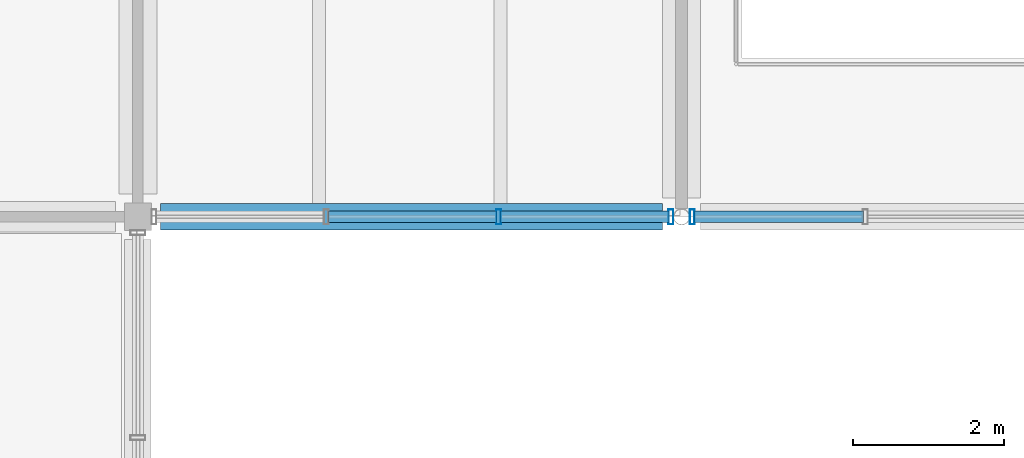
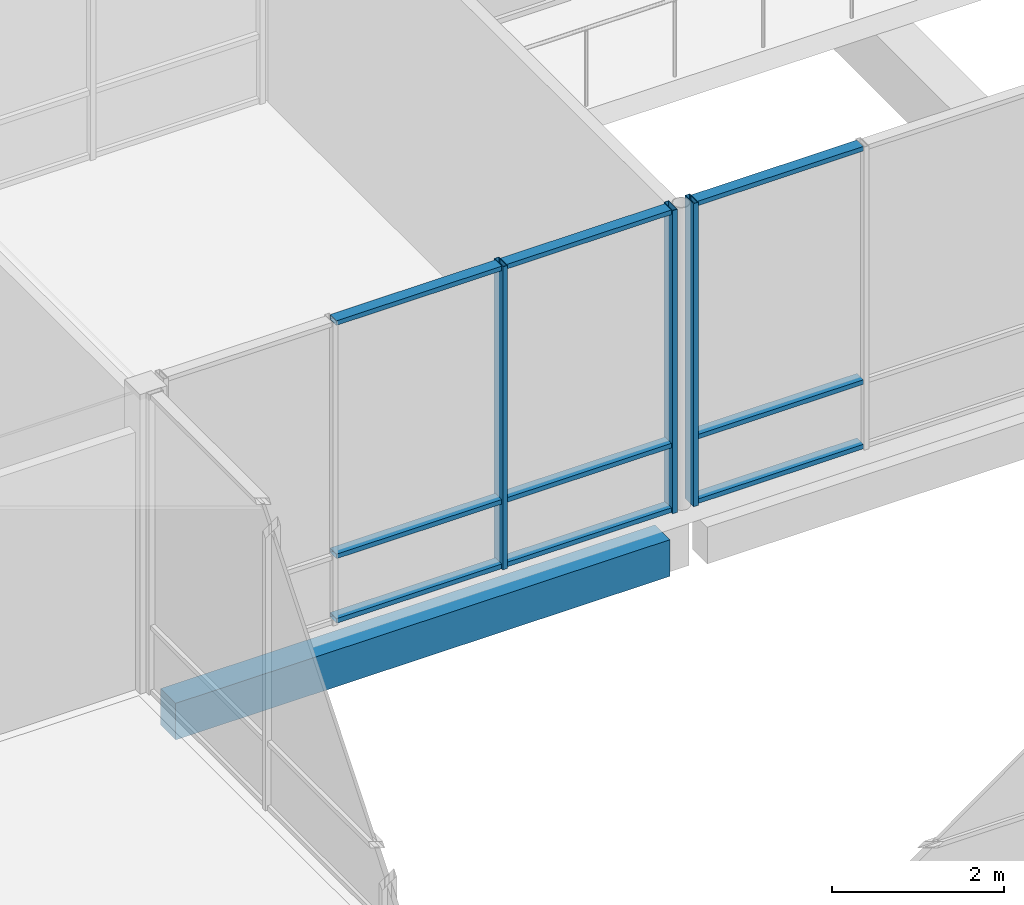
# One storey, part 26 of 146: 12 members, 1 beam, 2 elements without a shape of their own.
"""IFC4 building model written with IfcOpenShell, lengths in metres."""

from ifc_helpers import new_model, si_unit, direction, frame, origin, origin_2d, place, context, subcontext, project, spatial, rectangle, hollow_rectangle, extrude, material, material_profile, profile_set, type_object, element, aggregate, save


model = new_model("IFC4")

# Units and contexts
model_context = context("Model", 3, precision=1e-05, world=origin(), true_north=direction((0.0, 1.0)))
body_context = subcontext(model_context, "Body", "Model", "MODEL_VIEW")
ifc_project = project(units=[si_unit("LENGTHUNIT", "METRE"), si_unit("AREAUNIT", "SQUARE_METRE"), si_unit("VOLUMEUNIT", "CUBIC_METRE"), si_unit("PLANEANGLEUNIT", "RADIAN"), si_unit("MASSUNIT", "GRAM", prefix="KILO")], contexts=[model_context])

# Site, building, storey
site_placement = place(None, origin())
site = spatial("IfcSite", under=ifc_project, at=site_placement, CompositionType="ELEMENT")
building_placement = place(site_placement, origin())
building = spatial("IfcBuilding", under=site, at=building_placement, Name="Hawrajan Terrace Health Centre", CompositionType="ELEMENT")
storey_placement = place(building_placement, frame((0.0, 0.0, 4.5)))
storey = spatial("IfcBuildingStorey", under=building, at=storey_placement, Name="L01", CompositionType="ELEMENT", Elevation=4.5)

# Curtain wall, members
ifc_material_1 = material(Name="Anodized bronze aluminium and low-E solar glazing", Category="aluminium")
curtain_wall_type_1 = type_object("IfcCurtainWallType", Name="CW_Hall_SeriesD1", PredefinedType="USERDEFINED", material=ifc_material_1)
curtain_wall_1_placement = place(storey_placement, origin())
curtain_wall_1 = element("IfcCurtainWall", 1, at=curtain_wall_1_placement, inside=storey, type_object=curtain_wall_type_1, Name="Curtain wall CW-L01-058", ObjectType="UNITISED CURTAIN WALL", PredefinedType="USERDEFINED")
ifc_material_2 = material(Name="Anodized bronze aluminium 6063-T6", Category="aluminium")
ifc_material_profile_1 = material_profile(ifc_material_2, hollow_rectangle(XDim=0.06494140625, YDim=0.199951171875, WallThickness=0.00439453125, at=origin_2d()), Name="CW MUL 65x200")
ifc_profile_set_1 = profile_set([ifc_material_profile_1], Name="Anodized bronze aluminium 6063-T6")
member_type_1 = type_object("IfcMemberType", Name="CWMullion_65x200", PredefinedType="MULLION", material=ifc_profile_set_1)
member_1_placement = place(storey_placement, frame((30.97607421875, 27.199951171875, -0.0048828125), z_axis=(0.0, 0.0, 1.0), x_axis=(1.0, 0.0, 0.0)))
member_1 = element("IfcMember", 2, at=member_1_placement, type_object=member_type_1, Name="Mullion CW-L01-058-M3", PredefinedType="MULLION", context=body_context, shape_type="SweptSolid", body=[
    extrude(hollow_rectangle(XDim=0.06494140625, YDim=0.199951171875, WallThickness=0.00439453125, at=origin_2d()), origin(), (0.0, 0.0, 1.0), 4.309814453125),
])
member_2_placement = place(storey_placement, frame((33.2578125, 27.199951171875, -0.0048828125), z_axis=(0.0, 0.0, 1.0), x_axis=(1.0, 0.0, 0.0)))
member_2 = element("IfcMember", 3, at=member_2_placement, type_object=member_type_1, Name="Mullion CW-L01-058-M4", PredefinedType="MULLION", context=body_context, shape_type="SweptSolid", body=[
    extrude(hollow_rectangle(XDim=0.06494140625, YDim=0.199951171875, WallThickness=0.00439453125, at=origin_2d()), origin(), (0.0, 0.0, 1.0), 4.309814453125),
])

# Curtain wall, member
curtain_wall_type_2 = type_object("IfcCurtainWallType", Name="CW_Clerestory_SeriesG1", PredefinedType="USERDEFINED", material=ifc_material_1)
curtain_wall_2_placement = place(storey_placement, origin())
curtain_wall_2 = element("IfcCurtainWall", 4, at=curtain_wall_2_placement, inside=storey, type_object=curtain_wall_type_2, Name="Curtain wall CW-L01-064", ObjectType="UNITISED CURTAIN WALL", PredefinedType="USERDEFINED")
member_3_placement = place(storey_placement, frame((33.5419921875, 27.199951171875, -0.0048828125), z_axis=(0.0, 0.0, 1.0), x_axis=(1.0, 0.0, 0.0)))
member_3 = element("IfcMember", 5, at=member_3_placement, type_object=member_type_1, Name="Mullion CW-L01-064-M1", PredefinedType="MULLION", context=body_context, shape_type="SweptSolid", body=[
    extrude(hollow_rectangle(XDim=0.06494140625, YDim=0.199951171875, WallThickness=0.00439453125, at=origin_2d()), origin(), (0.0, 0.0, 1.0), 4.309814453125),
])

# Member
ifc_material_profile_2 = material_profile(ifc_material_2, hollow_rectangle(XDim=0.06494140625, YDim=0.14990234375, WallThickness=0.00390625, at=origin_2d()), Name="CW TRN 65x150")
ifc_profile_set_2 = profile_set([ifc_material_profile_2], Name="Anodized bronze aluminium 6063-T6")
member_type_2 = type_object("IfcMemberType", Name="CWTransom_65x150", PredefinedType="USERDEFINED", material=ifc_profile_set_2)
member_4_placement = place(storey_placement, frame((28.720703125, 27.199951171875, 0.032470703125), z_axis=(1.0, 0.0, 0.0), x_axis=(0.0, 0.0, 1.0)))
member_4 = element("IfcMember", 6, at=member_4_placement, type_object=member_type_2, Name="Transom CW-L01-058-T2-1", ObjectType="TRANSOM", PredefinedType="USERDEFINED", context=body_context, shape_type="SweptSolid", body=[
    extrude(hollow_rectangle(XDim=0.06494140625, YDim=0.14990234375, WallThickness=0.00390625, at=origin_2d()), origin(), (0.0, 0.0, 1.0), 2.22900390625),
])

member_5_placement = place(storey_placement, frame((28.720703125, 27.199951171875, 0.949951171875), z_axis=(1.0, 0.0, 0.0), x_axis=(0.0, 0.0, 1.0)))
member_5 = element("IfcMember", 7, at=member_5_placement, type_object=member_type_2, Name="Transom CW-L01-058-T2-2", ObjectType="TRANSOM", PredefinedType="USERDEFINED", context=body_context, shape_type="SweptSolid", body=[
    extrude(hollow_rectangle(XDim=0.06494140625, YDim=0.14990234375, WallThickness=0.00390625, at=origin_2d()), origin(), (0.0, 0.0, 1.0), 2.22900390625),
])

member_6_placement = place(storey_placement, frame((28.720703125, 27.199951171875, 4.267578125), z_axis=(1.0, 0.0, 0.0), x_axis=(0.0, 0.0, 1.0)))
member_6 = element("IfcMember", 8, at=member_6_placement, type_object=member_type_2, Name="Transom CW-L01-058-T2-3", ObjectType="TRANSOM", PredefinedType="USERDEFINED", context=body_context, shape_type="SweptSolid", body=[
    extrude(hollow_rectangle(XDim=0.06494140625, YDim=0.14990234375, WallThickness=0.00390625, at=origin_2d()), origin(), (0.0, 0.0, 1.0), 2.22900390625),
])

member_7_placement = place(storey_placement, frame((31.002685546875, 27.199951171875, 0.032470703125), z_axis=(1.0, 0.0, 0.0), x_axis=(0.0, 0.0, 1.0)))
member_7 = element("IfcMember", 9, at=member_7_placement, type_object=member_type_2, Name="Transom CW-L01-058-T3-1", ObjectType="TRANSOM", PredefinedType="USERDEFINED", context=body_context, shape_type="SweptSolid", body=[
    extrude(hollow_rectangle(XDim=0.06494140625, YDim=0.14990234375, WallThickness=0.00390625, at=origin_2d()), origin(), (0.0, 0.0, 1.0), 2.228759765625),
])

member_8_placement = place(storey_placement, frame((31.002685546875, 27.199951171875, 0.949951171875), z_axis=(1.0, 0.0, 0.0), x_axis=(0.0, 0.0, 1.0)))
member_8 = element("IfcMember", 10, at=member_8_placement, type_object=member_type_2, Name="Transom CW-L01-058-T3-2", ObjectType="TRANSOM", PredefinedType="USERDEFINED", context=body_context, shape_type="SweptSolid", body=[
    extrude(hollow_rectangle(XDim=0.06494140625, YDim=0.14990234375, WallThickness=0.00390625, at=origin_2d()), origin(), (0.0, 0.0, 1.0), 2.228759765625),
])

member_9_placement = place(storey_placement, frame((31.002685546875, 27.199951171875, 4.267578125), z_axis=(1.0, 0.0, 0.0), x_axis=(0.0, 0.0, 1.0)))
member_9 = element("IfcMember", 11, at=member_9_placement, type_object=member_type_2, Name="Transom CW-L01-058-T3-3", ObjectType="TRANSOM", PredefinedType="USERDEFINED", context=body_context, shape_type="SweptSolid", body=[
    extrude(hollow_rectangle(XDim=0.06494140625, YDim=0.14990234375, WallThickness=0.00390625, at=origin_2d()), origin(), (0.0, 0.0, 1.0), 2.228759765625),
])

aggregate(curtain_wall_1, [member_1, member_2, member_4, member_5, member_6, member_7, member_8, member_9])

member_10_placement = place(storey_placement, frame((33.568603515625, 27.199951171875, 0.032470703125), z_axis=(1.0, 0.0, 0.0), x_axis=(0.0, 0.0, 1.0)))
member_10 = element("IfcMember", 12, at=member_10_placement, type_object=member_type_2, Name="Transom CW-L01-064-T1-1", ObjectType="TRANSOM", PredefinedType="USERDEFINED", context=body_context, shape_type="SweptSolid", body=[
    extrude(hollow_rectangle(XDim=0.06494140625, YDim=0.14990234375, WallThickness=0.00390625, at=origin_2d()), origin(), (0.0, 0.0, 1.0), 2.23876953125),
])

member_11_placement = place(storey_placement, frame((33.568603515625, 27.199951171875, 0.949951171875), z_axis=(1.0, 0.0, 0.0), x_axis=(0.0, 0.0, 1.0)))
member_11 = element("IfcMember", 13, at=member_11_placement, type_object=member_type_2, Name="Transom CW-L01-064-T1-2", ObjectType="TRANSOM", PredefinedType="USERDEFINED", context=body_context, shape_type="SweptSolid", body=[
    extrude(hollow_rectangle(XDim=0.06494140625, YDim=0.14990234375, WallThickness=0.00390625, at=origin_2d()), origin(), (0.0, 0.0, 1.0), 2.23876953125),
])

member_12_placement = place(storey_placement, frame((33.568603515625, 27.199951171875, 4.267578125), z_axis=(1.0, 0.0, 0.0), x_axis=(0.0, 0.0, 1.0)))
member_12 = element("IfcMember", 14, at=member_12_placement, type_object=member_type_2, Name="Transom CW-L01-064-T1-3", ObjectType="TRANSOM", PredefinedType="USERDEFINED", context=body_context, shape_type="SweptSolid", body=[
    extrude(hollow_rectangle(XDim=0.06494140625, YDim=0.14990234375, WallThickness=0.00390625, at=origin_2d()), origin(), (0.0, 0.0, 1.0), 2.23876953125),
])

aggregate(curtain_wall_2, [member_3, member_10, member_11, member_12])

# Beam
ifc_material_3 = material(Name="Concrete C40/50", Category="concrete")
ifc_material_profile_3 = material_profile(ifc_material_3, rectangle(XDim=0.35009765625, YDim=0.52001953125, at=origin_2d()), Name="RC SP 350x520")
ifc_profile_set_3 = profile_set([ifc_material_profile_3], Name="Concrete C40/50")
beam_type = type_object("IfcBeamType", Name="RCSpandrel_350x520", PredefinedType="SPANDREL", material=ifc_profile_set_3)
beam_placement = place(storey_placement, frame((26.5, 27.199951171875, -0.56005859375), z_axis=(1.0, 0.0, 0.0), x_axis=(0.0, 1.0, 0.0)))
element("IfcBeam", 15, at=beam_placement, inside=storey, type_object=beam_type, Name="Beam BM-X-L01-W-04-Y4", PredefinedType="SPANDREL", context=body_context, shape_type="SweptSolid", body=[
    extrude(rectangle(XDim=0.35009765625, YDim=0.52001953125, at=origin_2d()), origin(), (0.0, 0.0, 1.0), 6.64990234375),
])

save(model, "model.ifc")
